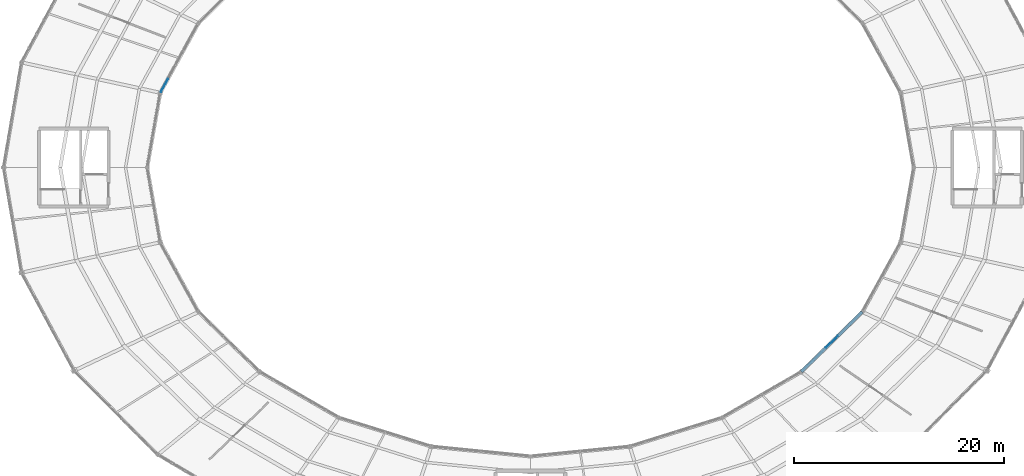
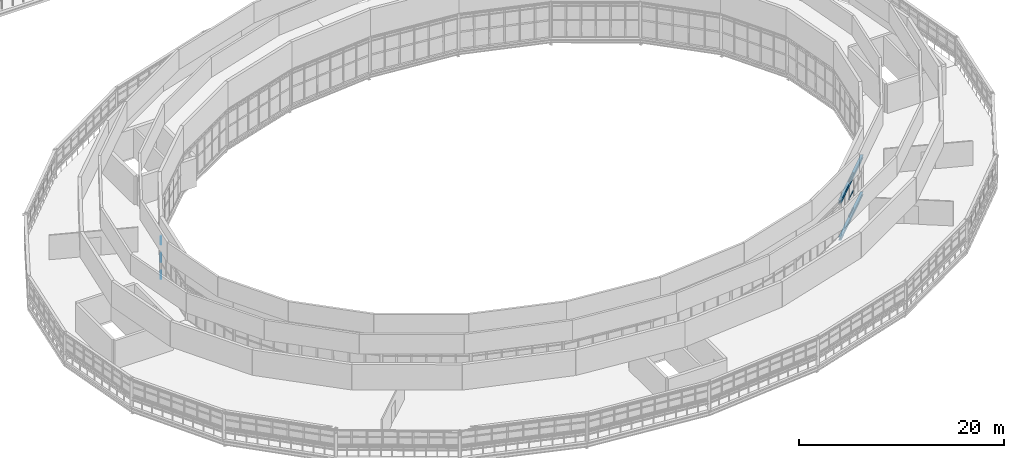
# One storey, part 47 of 123: 6 members, 2 beams, 2 elements without a shape of their own.
"""IFC4 building model written with IfcOpenShell, lengths in metres."""

from ifc_helpers import new_model, si_unit, direction, frame, origin, origin_2d, place, context, subcontext, project, spatial, rectangle, i_section, extrude, material, material_profile, profile_set, type_object, element, aggregate, save


model = new_model("IFC4")

# Units and contexts
model_context = context("Model", 3, precision=1e-05, world=origin(), true_north=direction((0.0, 1.0)))
body_context = subcontext(model_context, "Body", "Model", "MODEL_VIEW")
ifc_project = project(units=[si_unit("LENGTHUNIT", "METRE"), si_unit("AREAUNIT", "SQUARE_METRE"), si_unit("VOLUMEUNIT", "CUBIC_METRE"), si_unit("PLANEANGLEUNIT", "RADIAN"), si_unit("MASSUNIT", "GRAM", prefix="KILO")], contexts=[model_context])

# Site, building, storey
site_placement = place(None, origin())
site = spatial("IfcSite", under=ifc_project, at=site_placement, CompositionType="ELEMENT")
building_placement = place(site_placement, origin())
building = spatial("IfcBuilding", under=site, at=building_placement, Name="Kildeholm Park Wholesale Market", CompositionType="ELEMENT")
storey_placement = place(building_placement, frame((0.0, 0.0, 9.60009765625)))
storey = spatial("IfcBuildingStorey", under=building, at=storey_placement, Name="L02", CompositionType="ELEMENT", Elevation=9.60009765625)

# Beams
ifc_material_1 = material(Name="Steel S355", Category="steel")
ifc_material_profile_1 = material_profile(ifc_material_1, i_section(OverallWidth=0.300048828125, OverallDepth=0.35009765625, WebThickness=0.010009765625, FlangeThickness=0.017578125, FilletRadius=0.027099609375, at=origin_2d()), Name="HEA 360")
ifc_profile_set_1 = profile_set([ifc_material_profile_1], Name="Steel S355")
beam_type_1 = type_object("IfcBeamType", Name="Beam B-R01 HEA 360", PredefinedType="BEAM", material=ifc_profile_set_1)
beam_1_placement = place(storey_placement, frame((124.80908203125, 70.054931640625, -0.42919921875), z_axis=(0.713593723838, 0.700559774251, 0.0), x_axis=(-0.700559774251, 0.713593723838, 0.0)))
element("IfcBeam", 1, at=beam_1_placement, inside=storey, type_object=beam_type_1, Name="Beam BM-V1-L02-CI-21 BM-0197", PredefinedType="BEAM", context=body_context, shape_type="SweptSolid", body=[
    extrude(i_section(OverallWidth=0.300048828125, OverallDepth=0.35009765625, WebThickness=0.010009765625, FlangeThickness=0.017578125, FilletRadius=0.027099609375, at=origin_2d()), origin(), (0.0, 0.0, 1.0), 8.12939453125),
])
ifc_material_profile_2 = material_profile(ifc_material_1, i_section(OverallWidth=0.300048828125, OverallDepth=0.360107421875, WebThickness=0.012451171875, FlangeThickness=0.0224609375, FilletRadius=0.027099609375, at=origin_2d()), Name="HEB 360")
ifc_profile_set_2 = profile_set([ifc_material_profile_2], Name="Steel S355")
beam_type_2 = type_object("IfcBeamType", Name="Beam B-R03 HEB 360", PredefinedType="BEAM", material=ifc_profile_set_2)
beam_2_placement = place(storey_placement, frame((124.80908203125, 70.054931640625, 3.96533203125), z_axis=(0.713593723838, 0.700559774251, 0.0), x_axis=(-0.700559774251, 0.713593723838, 0.0)))
element("IfcBeam", 2, at=beam_2_placement, inside=storey, type_object=beam_type_2, Name="Beam BM-V1-RF-IN-21 BM-0349", PredefinedType="BEAM", context=body_context, shape_type="SweptSolid", body=[
    extrude(i_section(OverallWidth=0.300048828125, OverallDepth=0.360107421875, WebThickness=0.012451171875, FlangeThickness=0.0224609375, FilletRadius=0.027099609375, at=origin_2d()), origin(), (0.0, 0.0, 1.0), 8.12939453125),
])

# Curtain wall, members
ifc_material_2 = material(Name="Anodised aluminium and low-E double-glazed glass", Category="aluminium")
curtain_wall_type = type_object("IfcCurtainWallType", Name="Clerestory daylight stick curtain wall CW-02", PredefinedType="NOTDEFINED", material=ifc_material_2)
curtain_wall_1_placement = place(storey_placement, origin())
curtain_wall_1 = element("IfcCurtainWall", 3, at=curtain_wall_1_placement, inside=storey, type_object=curtain_wall_type, Name="Curtain wall CW-V1-IN2-10 CW-0053", PredefinedType="NOTDEFINED")
ifc_material_3 = material(Name="Anodised aluminium", Category="aluminium")
ifc_material_profile_3 = material_profile(ifc_material_3, rectangle(XDim=0.06005859375, YDim=0.1201171875, at=origin_2d()), Name="CWT 60x120")
ifc_profile_set_3 = profile_set([ifc_material_profile_3], Name="Anodised aluminium")
member_type = type_object("IfcMemberType", Name="Curtain-wall transom CWT-3 CWT 60x120", PredefinedType="USERDEFINED", material=ifc_profile_set_3)
member_1_placement = place(storey_placement, frame((64.464111328125, 97.9404296875, 0.02978515625), z_axis=(-0.481692421083, -0.876340351388, 0.0), x_axis=(0.876340351388, -0.481692421083, 0.0)))
member_1 = element("IfcMember", 4, at=member_1_placement, type_object=member_type, Name="CW-02 transom 5.1 MEM-1868", ObjectType="TRANSOM", PredefinedType="USERDEFINED", context=body_context, shape_type="SweptSolid", body=[
    extrude(rectangle(XDim=0.06005859375, YDim=0.1201171875, at=origin_2d()), origin(), (0.0, 0.0, 1.0), 1.407958984375),
])
member_2_placement = place(storey_placement, frame((64.464111328125, 97.9404296875, 2.074951171875), z_axis=(-0.481692421083, -0.876340351388, 0.0), x_axis=(0.876340351388, -0.481692421083, 0.0)))
member_2 = element("IfcMember", 5, at=member_2_placement, type_object=member_type, Name="CW-02 transom 5.2 MEM-1869", ObjectType="TRANSOM", PredefinedType="USERDEFINED", context=body_context, shape_type="SweptSolid", body=[
    extrude(rectangle(XDim=0.06005859375, YDim=0.1201171875, at=origin_2d()), origin(), (0.0, 0.0, 1.0), 1.407958984375),
])
member_3_placement = place(storey_placement, frame((64.464111328125, 97.9404296875, 4.119873046875), z_axis=(-0.481692421083, -0.876340351388, 0.0), x_axis=(0.876340351388, -0.481692421083, 0.0)))
member_3 = element("IfcMember", 6, at=member_3_placement, type_object=member_type, Name="CW-02 transom 5.3 MEM-1870", ObjectType="TRANSOM", PredefinedType="USERDEFINED", context=body_context, shape_type="SweptSolid", body=[
    extrude(rectangle(XDim=0.06005859375, YDim=0.1201171875, at=origin_2d()), origin(), (0.0, 0.0, 1.0), 1.407958984375),
])
aggregate(curtain_wall_1, [member_1, member_2, member_3])

curtain_wall_2_placement = place(storey_placement, origin())
curtain_wall_2 = element("IfcCurtainWall", 7, at=curtain_wall_2_placement, inside=storey, type_object=curtain_wall_type, Name="Curtain wall CW-V1-IN2-21 CW-0108", PredefinedType="NOTDEFINED")
member_4_placement = place(storey_placement, frame((127.16162109375, 72.356689453125, 0.02978515625), z_axis=(0.713536761503, 0.700617791655, 0.0), x_axis=(-0.700617791655, 0.713536761503, 0.0)))
member_4 = element("IfcMember", 8, at=member_4_placement, type_object=member_type, Name="CW-02 transom 3.1 MEM-3389", ObjectType="TRANSOM", PredefinedType="USERDEFINED", context=body_context, shape_type="SweptSolid", body=[
    extrude(rectangle(XDim=0.06005859375, YDim=0.1201171875, at=origin_2d()), origin(), (0.0, 0.0, 1.0), 1.549560546875),
])
member_5_placement = place(storey_placement, frame((127.16162109375, 72.356689453125, 2.074951171875), z_axis=(0.713536761503, 0.700617791655, 0.0), x_axis=(-0.700617791655, 0.713536761503, 0.0)))
member_5 = element("IfcMember", 9, at=member_5_placement, type_object=member_type, Name="CW-02 transom 3.2 MEM-3390", ObjectType="TRANSOM", PredefinedType="USERDEFINED", context=body_context, shape_type="SweptSolid", body=[
    extrude(rectangle(XDim=0.06005859375, YDim=0.1201171875, at=origin_2d()), origin(), (0.0, 0.0, 1.0), 1.549560546875),
])
member_6_placement = place(storey_placement, frame((127.16162109375, 72.356689453125, 4.119873046875), z_axis=(0.713536761503, 0.700617791655, 0.0), x_axis=(-0.700617791655, 0.713536761503, 0.0)))
member_6 = element("IfcMember", 10, at=member_6_placement, type_object=member_type, Name="CW-02 transom 3.3 MEM-3391", ObjectType="TRANSOM", PredefinedType="USERDEFINED", context=body_context, shape_type="SweptSolid", body=[
    extrude(rectangle(XDim=0.06005859375, YDim=0.1201171875, at=origin_2d()), origin(), (0.0, 0.0, 1.0), 1.549560546875),
])
aggregate(curtain_wall_2, [member_4, member_5, member_6])

save(model, "model.ifc")
